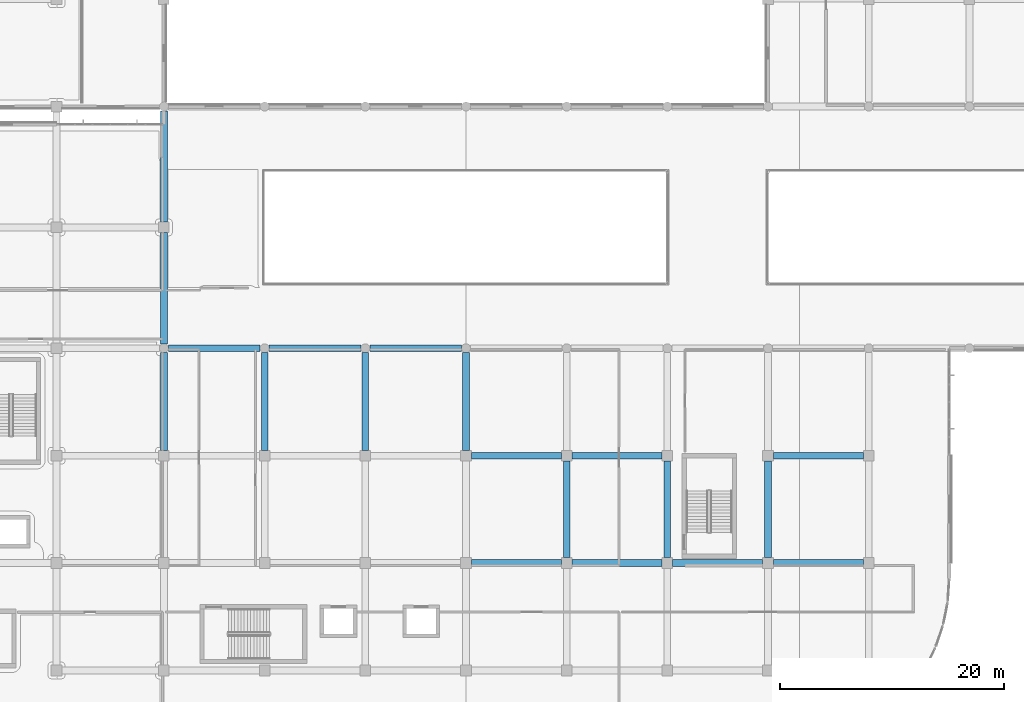
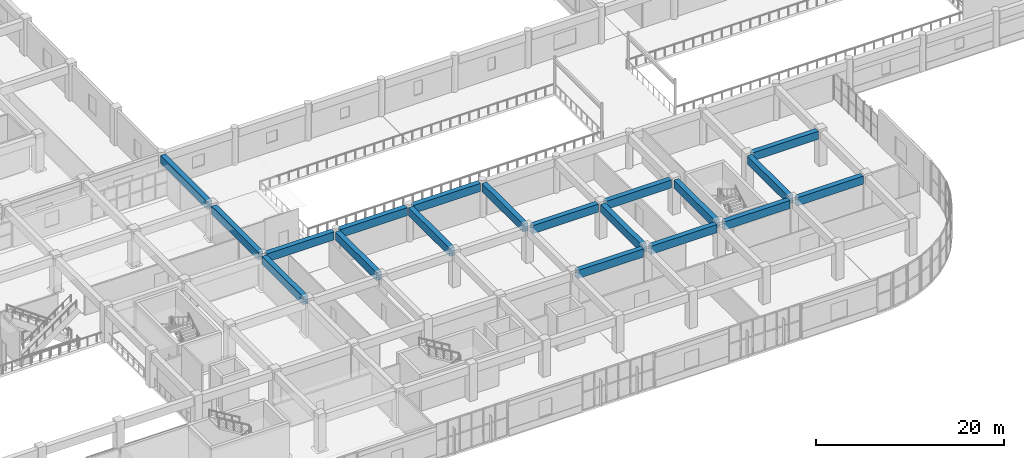
# One storey, part 23 of 86: 19 beams.
"""IFC4 building model written with IfcOpenShell, lengths in metres."""

from ifc_helpers import new_model, si_unit, direction, frame, origin, origin_2d, place, context, subcontext, project, spatial, rectangle, extrude, material, material_profile, profile_set, type_object, element, save


model = new_model("IFC4")

# Units and contexts
model_context = context("Model", 3, precision=1e-05, world=origin(), true_north=direction((0.0, 1.0)))
body_context = subcontext(model_context, "Body", "Model", "MODEL_VIEW")
ifc_project = project(units=[si_unit("LENGTHUNIT", "METRE"), si_unit("AREAUNIT", "SQUARE_METRE"), si_unit("VOLUMEUNIT", "CUBIC_METRE"), si_unit("PLANEANGLEUNIT", "RADIAN"), si_unit("MASSUNIT", "GRAM", prefix="KILO")], contexts=[model_context])

# Site, building, storey
site_placement = place(None, origin())
site = spatial("IfcSite", under=ifc_project, at=site_placement, CompositionType="ELEMENT")
building_placement = place(site_placement, origin())
building = spatial("IfcBuilding", under=site, at=building_placement, Name="Cendralis Terraced Arcade", CompositionType="ELEMENT")
storey_placement = place(building_placement, frame((0.0, 0.0, 5.39990234375)))
storey = spatial("IfcBuildingStorey", under=building, at=storey_placement, Name="L01", CompositionType="ELEMENT", Elevation=5.39990234375)

# Beams
ifc_material = material(Name="Concrete f'c 35 MPa", Category="concrete")
ifc_material_profile = material_profile(ifc_material, rectangle(XDim=0.60009765625, YDim=1.050048828125, at=origin_2d()), Name="RC-BM-600x1050", Category="LoadBearing")
ifc_profile_set = profile_set([ifc_material_profile], Name="Concrete f'c 35 MPa")
beam_type = type_object("IfcBeamType", Name="BM-600x1050", PredefinedType="JOIST", material=ifc_profile_set)
for number, where, z_axis, x_axis, name in (
    (1, (94.675048828125, 19.199951171875, 3.97998046875), (1.0, 0.0, 0.0), (0.0, 1.0, 0.0), "Reinforced Concrete Frame Beam BM-X-L02-C-11_12"),
    (2, (103.675048828125, 19.199951171875, 3.97998046875), (1.0, 0.0, 0.0), (0.0, 1.0, 0.0), "Reinforced Concrete Frame Beam BM-X-L02-C-12_13"),
    (3, (112.675048828125, 19.199951171875, 3.97998046875), (1.0, 0.0, 0.0), (0.0, 1.0, 0.0), "Reinforced Concrete Frame Beam BM-X-L02-C-13_14"),
    (4, (121.675048828125, 19.199951171875, 3.97998046875), (1.0, 0.0, 0.0), (0.0, 1.0, 0.0), "Reinforced Concrete Frame Beam BM-X-L02-C-14_15"),
    (5, (94.675048828125, 28.800048828125, 3.97998046875), (1.0, 0.0, 0.0), (0.0, 1.0, 0.0), "Reinforced Concrete Frame Beam BM-X-L02-D-11_12"),
    (6, (103.675048828125, 28.800048828125, 3.97998046875), (1.0, 0.0, 0.0), (0.0, 1.0, 0.0), "Reinforced Concrete Frame Beam BM-X-L02-D-12_13"),
    (7, (121.675048828125, 28.800048828125, 3.97998046875), (1.0, 0.0, 0.0), (0.0, 1.0, 0.0), "Reinforced Concrete Frame Beam BM-X-L02-D-14_15"),
):
    element("IfcBeam", number, at=place(storey_placement, frame(where, z_axis=z_axis, x_axis=x_axis)), inside=storey, type_object=beam_type, Name=name, PredefinedType="JOIST", context=body_context, shape_type="SweptSolid", body=[
        extrude(rectangle(XDim=0.60009765625, YDim=1.050048828125, at=origin_2d()), origin(), (0.0, 0.0, 1.0), 8.050048828125),
    ])
for number, where, z_axis, x_axis, name in (
    (8, (67.60009765625, 38.39990234375, 3.97998046875), (1.0, 0.0, 0.0), (0.0, 1.0, 0.0), "Reinforced Concrete Frame Beam BM-X-L02-E-8_9"),
    (9, (76.60009765625, 38.39990234375, 3.97998046875), (1.0, 0.0, 0.0), (0.0, 1.0, 0.0), "Reinforced Concrete Frame Beam BM-X-L02-E-9_10"),
    (10, (85.60009765625, 38.39990234375, 3.97998046875), (1.0, 0.0, 0.0), (0.0, 1.0, 0.0), "Reinforced Concrete Frame Beam BM-X-L02-E-10_11"),
):
    element("IfcBeam", number, at=place(storey_placement, frame(where, z_axis=z_axis, x_axis=x_axis)), inside=storey, type_object=beam_type, Name=name, PredefinedType="JOIST", context=body_context, shape_type="SweptSolid", body=[
        extrude(rectangle(XDim=0.60009765625, YDim=1.050048828125, at=origin_2d()), origin(), (0.0, 0.0, 1.0), 8.199951171875),
    ])
beam_placement = place(storey_placement, frame((67.199951171875, 29.27490234375, 3.97998046875), z_axis=(0.0, 1.0, 0.0), x_axis=(-1.0, 0.0, 0.0)))
element("IfcBeam", 11, at=beam_placement, inside=storey, type_object=beam_type, Name="Reinforced Concrete Frame Beam BM-Y-L02-8-D_E", PredefinedType="JOIST", context=body_context, shape_type="SweptSolid", body=[
    extrude(rectangle(XDim=0.60009765625, YDim=1.050048828125, at=origin_2d()), origin(), (0.0, 0.0, 1.0), 8.72509765625),
])
for number, where, z_axis, x_axis, name in (
    (12, (67.199951171875, 38.800048828125, 3.97998046875), (0.0, 1.0, 0.0), (-1.0, 0.0, 0.0), "Reinforced Concrete Frame Beam BM-Y-L02-8-E_F"),
    (13, (67.199951171875, 49.675048828125, 3.97998046875), (0.0, 1.0, 0.0), (-1.0, 0.0, 0.0), "Reinforced Concrete Frame Beam BM-Y-L02-8-F_G"),
):
    element("IfcBeam", number, at=place(storey_placement, frame(where, z_axis=z_axis, x_axis=x_axis)), inside=storey, type_object=beam_type, Name=name, PredefinedType="JOIST", context=body_context, shape_type="SweptSolid", body=[
        extrude(rectangle(XDim=0.60009765625, YDim=1.050048828125, at=origin_2d()), origin(), (0.0, 0.0, 1.0), 9.925048828125),
    ])
for number, where, z_axis, x_axis, name in (
    (14, (76.199951171875, 29.27490234375, 3.97998046875), (0.0, 1.0, 0.0), (-1.0, 0.0, 0.0), "Reinforced Concrete Frame Beam BM-Y-L02-9-D_E"),
    (15, (85.199951171875, 29.27490234375, 3.97998046875), (0.0, 1.0, 0.0), (-1.0, 0.0, 0.0), "Reinforced Concrete Frame Beam BM-Y-L02-10-D_E"),
    (16, (94.199951171875, 29.27490234375, 3.97998046875), (0.0, 1.0, 0.0), (-1.0, 0.0, 0.0), "Reinforced Concrete Frame Beam BM-Y-L02-11-D_E"),
):
    element("IfcBeam", number, at=place(storey_placement, frame(where, z_axis=z_axis, x_axis=x_axis)), inside=storey, type_object=beam_type, Name=name, PredefinedType="JOIST", context=body_context, shape_type="SweptSolid", body=[
        extrude(rectangle(XDim=0.60009765625, YDim=1.050048828125, at=origin_2d()), origin(), (0.0, 0.0, 1.0), 8.72509765625),
    ])
for number, where, z_axis, x_axis, name in (
    (17, (103.199951171875, 19.675048828125, 3.97998046875), (0.0, 1.0, 0.0), (-1.0, 0.0, 0.0), "Reinforced Concrete Frame Beam BM-Y-L02-12-C_D"),
    (18, (112.199951171875, 19.675048828125, 3.97998046875), (0.0, 1.0, 0.0), (-1.0, 0.0, 0.0), "Reinforced Concrete Frame Beam BM-Y-L02-13-C_D"),
    (19, (121.199951171875, 19.675048828125, 3.97998046875), (0.0, 1.0, 0.0), (-1.0, 0.0, 0.0), "Reinforced Concrete Frame Beam BM-Y-L02-14-C_D"),
):
    element("IfcBeam", number, at=place(storey_placement, frame(where, z_axis=z_axis, x_axis=x_axis)), inside=storey, type_object=beam_type, Name=name, PredefinedType="JOIST", context=body_context, shape_type="SweptSolid", body=[
        extrude(rectangle(XDim=0.60009765625, YDim=1.050048828125, at=origin_2d()), origin(), (0.0, 0.0, 1.0), 8.64990234375),
    ])

save(model, "model.ifc")
